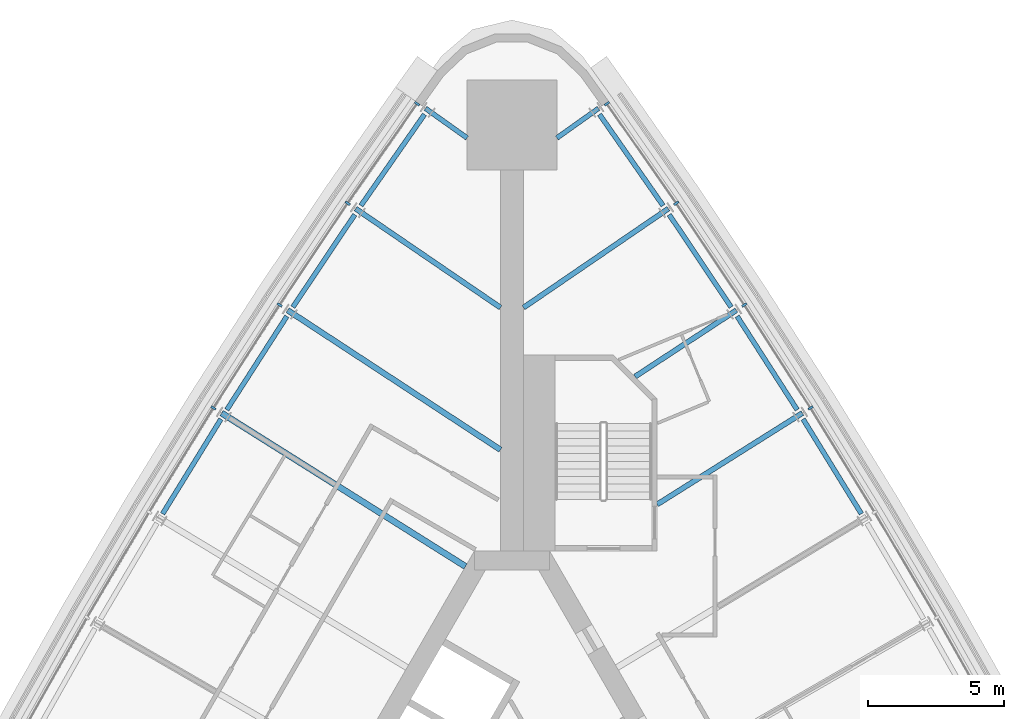
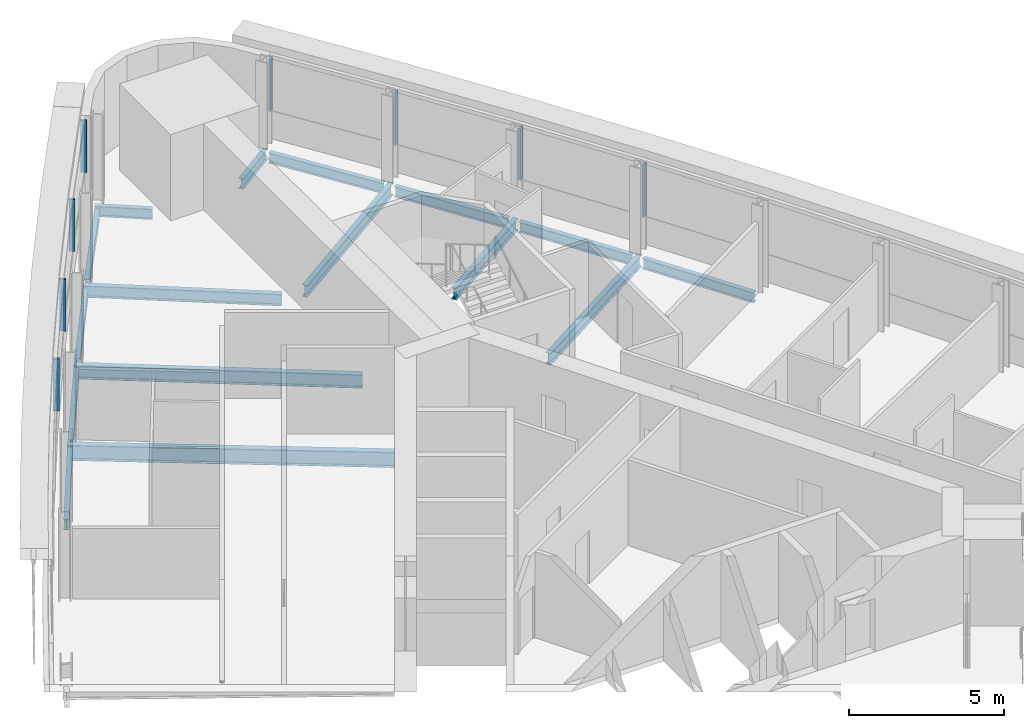
# One storey, part 8 of 15: 16 beams, 8 members, 2 elements without a shape of their own.
"""IFC4 building model written with IfcOpenShell, lengths in metres."""

from ifc_helpers import new_model, si_unit, direction, frame, origin, origin_2d, place, context, subcontext, project, spatial, rectangle, i_section, extrude, material, material_profile, profile_set, type_object, element, aggregate, save


model = new_model("IFC4")

# Units and contexts
model_context = context("Model", 3, precision=1e-05, world=origin(), true_north=direction((0.0, 1.0)))
body_context = subcontext(model_context, "Body", "Model", "MODEL_VIEW")
ifc_project = project(units=[si_unit("LENGTHUNIT", "METRE"), si_unit("AREAUNIT", "SQUARE_METRE"), si_unit("VOLUMEUNIT", "CUBIC_METRE"), si_unit("PLANEANGLEUNIT", "RADIAN"), si_unit("MASSUNIT", "GRAM", prefix="KILO")], contexts=[model_context])

# Site, building, storey
site_placement = place(None, origin())
site = spatial("IfcSite", under=ifc_project, at=site_placement, CompositionType="ELEMENT")
building_placement = place(site_placement, origin())
building = spatial("IfcBuilding", under=site, at=building_placement, Name="Noor Cloister Tower", CompositionType="ELEMENT")
storey_placement = place(building_placement, frame((0.0, 0.0, 45.60009765625)))
storey = spatial("IfcBuildingStorey", under=building, at=storey_placement, Name="L11", CompositionType="ELEMENT", Elevation=45.60009765625)

# Curtain wall, members
ifc_material_1 = material(Name="Aluminium 6063-T6 anodised", Category="aluminium")
curtain_wall_type = type_object("IfcCurtainWallType", Name="Ribbon curtain wall, lower tower CW1", PredefinedType="NOTDEFINED", material=ifc_material_1)
curtain_wall_1_placement = place(storey_placement, origin())
curtain_wall_1 = element("IfcCurtainWall", 1, at=curtain_wall_1_placement, inside=storey, type_object=curtain_wall_type, Name="CW1 L11 NW run 1", PredefinedType="NOTDEFINED")
ifc_material_2 = material(Name="Aluminium 6063-T6 anodised", Category="aluminium")
ifc_material_profile_1 = material_profile(ifc_material_2, rectangle(XDim=0.199951171875, YDim=0.080078125, at=origin_2d()), Name="200 x 80 mullion")
ifc_profile_set_1 = profile_set([ifc_material_profile_1], Name="Aluminium 6063-T6 anodised")
member_type = type_object("IfcMemberType", Name="Mullion CW1 80 x 200", PredefinedType="MULLION", material=ifc_profile_set_1)
member_1_placement = place(storey_placement, frame((-3.48876953125, 27.900390625, 1.099853515625), z_axis=(0.0, 0.0, 1.0), x_axis=(0.820380445931, -0.5718180864, 0.0)))
member_1 = element("IfcMember", 2, at=member_1_placement, type_object=member_type, Name="CW1 mullion 1", PredefinedType="MULLION", context=body_context, shape_type="SweptSolid", body=[
    extrude(rectangle(XDim=0.199951171875, YDim=0.080078125, at=origin_2d()), origin(), (0.0, 0.0, 1.0), 2.050048828125),
])
member_2_placement = place(storey_placement, frame((-6.03857421875, 24.242431640625, 1.099853515625), z_axis=(0.0, 0.0, 1.0), x_axis=(0.825751893691, -0.564033518566, 0.0)))
member_2 = element("IfcMember", 3, at=member_2_placement, type_object=member_type, Name="CW1 mullion 2", PredefinedType="MULLION", context=body_context, shape_type="SweptSolid", body=[
    extrude(rectangle(XDim=0.199951171875, YDim=0.080078125, at=origin_2d()), origin(), (0.0, 0.0, 1.0), 2.050048828125),
])
member_3_placement = place(storey_placement, frame((-8.54052734375, 20.50439453125, 1.099853515625), z_axis=(0.0, 0.0, 1.0), x_axis=(0.836272729558, -0.548313707469, 0.0)))
member_3 = element("IfcMember", 4, at=member_3_placement, type_object=member_type, Name="CW1 mullion 3", PredefinedType="MULLION", context=body_context, shape_type="SweptSolid", body=[
    extrude(rectangle(XDim=0.199951171875, YDim=0.080078125, at=origin_2d()), origin(), (0.0, 0.0, 1.0), 2.050048828125),
])
member_4_placement = place(storey_placement, frame((-10.970947265625, 16.719482421875, 1.099853515625), z_axis=(0.0, 0.0, 1.0), x_axis=(0.846494346666, -0.532397709482, 0.0)))
member_4 = element("IfcMember", 5, at=member_4_placement, type_object=member_type, Name="CW1 mullion 4", PredefinedType="MULLION", context=body_context, shape_type="SweptSolid", body=[
    extrude(rectangle(XDim=0.199951171875, YDim=0.080078125, at=origin_2d()), origin(), (0.0, 0.0, 1.0), 2.050048828125),
])
aggregate(curtain_wall_1, [member_1, member_2, member_3, member_4])

curtain_wall_2_placement = place(storey_placement, origin())
curtain_wall_2 = element("IfcCurtainWall", 6, at=curtain_wall_2_placement, inside=storey, type_object=curtain_wall_type, Name="CW1 L11 NE run 3", PredefinedType="NOTDEFINED")
member_5_placement = place(storey_placement, frame((10.970947265625, 16.719482421875, 1.099853515625), z_axis=(0.0, 0.0, 1.0), x_axis=(-0.846494346666, -0.532397709482, 0.0)))
member_5 = element("IfcMember", 7, at=member_5_placement, type_object=member_type, Name="CW1 mullion 8", PredefinedType="MULLION", context=body_context, shape_type="SweptSolid", body=[
    extrude(rectangle(XDim=0.199951171875, YDim=0.080078125, at=origin_2d()), origin(), (0.0, 0.0, 1.0), 2.050048828125),
])
member_6_placement = place(storey_placement, frame((8.54052734375, 20.50439453125, 1.099853515625), z_axis=(0.0, 0.0, 1.0), x_axis=(-0.836272729558, -0.548313707469, 0.0)))
member_6 = element("IfcMember", 8, at=member_6_placement, type_object=member_type, Name="CW1 mullion 9", PredefinedType="MULLION", context=body_context, shape_type="SweptSolid", body=[
    extrude(rectangle(XDim=0.199951171875, YDim=0.080078125, at=origin_2d()), origin(), (0.0, 0.0, 1.0), 2.050048828125),
])
member_7_placement = place(storey_placement, frame((6.03857421875, 24.242431640625, 1.099853515625), z_axis=(0.0, 0.0, 1.0), x_axis=(-0.825751893691, -0.564033518566, 0.0)))
member_7 = element("IfcMember", 9, at=member_7_placement, type_object=member_type, Name="CW1 mullion 10", PredefinedType="MULLION", context=body_context, shape_type="SweptSolid", body=[
    extrude(rectangle(XDim=0.199951171875, YDim=0.080078125, at=origin_2d()), origin(), (0.0, 0.0, 1.0), 2.050048828125),
])
member_8_placement = place(storey_placement, frame((3.48876953125, 27.900390625, 1.099853515625), z_axis=(0.0, 0.0, 1.0), x_axis=(-0.820380445931, -0.5718180864, 0.0)))
member_8 = element("IfcMember", 10, at=member_8_placement, type_object=member_type, Name="CW1 mullion 11", PredefinedType="MULLION", context=body_context, shape_type="SweptSolid", body=[
    extrude(rectangle(XDim=0.199951171875, YDim=0.080078125, at=origin_2d()), origin(), (0.0, 0.0, 1.0), 2.050048828125),
])
aggregate(curtain_wall_2, [member_5, member_6, member_7, member_8])

# Beams
ifc_material_3 = material(Name="Steel ASTM A992 Gr 50", Category="steel")
ifc_material_profile_2 = material_profile(ifc_material_3, i_section(OverallWidth=0.177978515625, OverallDepth=0.406005859375, WebThickness=0.0078125, FlangeThickness=0.0126953125, FilletRadius=0.01025390625, at=origin_2d()), Name="W410x60")
ifc_profile_set_2 = profile_set([ifc_material_profile_2], Name="Steel ASTM A992 Gr 50")
beam_type_1 = type_object("IfcBeamType", Name="Radial beam W410x60", PredefinedType="BEAM", material=ifc_profile_set_2)
for number, where, z_axis, x_axis, name in (
    (11, (-3.178955078125, 27.72802734375, -0.403076171875), (0.814936205274, -0.579550671929, 0.0), (0.579550671929, 0.814936205274, 0.0), "Radial beam NW 01 L11"),
    (12, (3.178955078125, 27.72802734375, -0.403076171875), (-0.814936205274, -0.579550671929, 0.0), (0.579550671929, -0.814936205274, 0.0), "Radial beam NE 11 L11"),
):
    element("IfcBeam", number, at=place(storey_placement, frame(where, z_axis=z_axis, x_axis=x_axis)), inside=storey, type_object=beam_type_1, Name=name, PredefinedType="BEAM", context=body_context, shape_type="SweptSolid", body=[
        extrude(i_section(OverallWidth=0.177978515625, OverallDepth=0.406005859375, WebThickness=0.0078125, FlangeThickness=0.0126953125, FilletRadius=0.01025390625, at=origin_2d()), origin(), (0.0, 0.0, 1.0), 1.876220703125),
    ])
ifc_material_4 = material(Name="Steel ASTM A992 Gr 50", Category="steel")
ifc_material_profile_3 = material_profile(ifc_material_4, i_section(OverallWidth=0.19091796875, OverallDepth=0.45703125, WebThickness=0.009033203125, FlangeThickness=0.014404296875, FilletRadius=0.01025390625, at=origin_2d()), Name="W460x74")
ifc_profile_set_3 = profile_set([ifc_material_profile_3], Name="Steel ASTM A992 Gr 50")
beam_type_2 = type_object("IfcBeamType", Name="Radial beam W460x74", PredefinedType="BEAM", material=ifc_profile_set_3)
beam_1_placement = place(storey_placement, frame((-5.7470703125, 24.04345703125, -0.4287109375), z_axis=(0.825732562414, -0.564061818749, 0.0), x_axis=(0.564061818749, 0.825732562414, 0.0)))
element("IfcBeam", 13, at=beam_1_placement, inside=storey, type_object=beam_type_2, Name="Radial beam NW 02 L11", PredefinedType="BEAM", context=body_context, shape_type="SweptSolid", body=[
    extrude(i_section(OverallWidth=0.19091796875, OverallDepth=0.45703125, WebThickness=0.009033203125, FlangeThickness=0.014404296875, FilletRadius=0.01025390625, at=origin_2d()), origin(), (0.0, 0.0, 1.0), 6.4453125),
])
beam_2_placement = place(storey_placement, frame((10.67236328125, 16.53173828125, -0.4287109375), z_axis=(-0.84649593942, -0.53239517705, 0.0), x_axis=(0.53239517705, -0.84649593942, 0.0)))
element("IfcBeam", 14, at=beam_2_placement, inside=storey, type_object=beam_type_2, Name="Radial beam NE 08 L11", PredefinedType="BEAM", context=body_context, shape_type="SweptSolid", body=[
    extrude(i_section(OverallWidth=0.19091796875, OverallDepth=0.45703125, WebThickness=0.009033203125, FlangeThickness=0.014404296875, FilletRadius=0.01025390625, at=origin_2d()), origin(), (0.0, 0.0, 1.0), 6.304443359375),
])
beam_3_placement = place(storey_placement, frame((8.2451171875, 20.310791015625, -0.4287109375), z_axis=(-0.836278171501, -0.54830540748, 0.0), x_axis=(0.54830540748, -0.836278171501, 0.0)))
element("IfcBeam", 15, at=beam_3_placement, inside=storey, type_object=beam_type_2, Name="Radial beam NE 09 L11", PredefinedType="BEAM", context=body_context, shape_type="SweptSolid", body=[
    extrude(i_section(OverallWidth=0.19091796875, OverallDepth=0.45703125, WebThickness=0.009033203125, FlangeThickness=0.014404296875, FilletRadius=0.01025390625, at=origin_2d()), origin(), (0.0, 0.0, 1.0), 4.45166015625),
])
beam_4_placement = place(storey_placement, frame((5.7470703125, 24.04345703125, -0.4287109375), z_axis=(-0.825732562414, -0.564061818749, 0.0), x_axis=(0.564061818749, -0.825732562414, 0.0)))
element("IfcBeam", 16, at=beam_4_placement, inside=storey, type_object=beam_type_2, Name="Radial beam NE 10 L11", PredefinedType="BEAM", context=body_context, shape_type="SweptSolid", body=[
    extrude(i_section(OverallWidth=0.19091796875, OverallDepth=0.45703125, WebThickness=0.009033203125, FlangeThickness=0.014404296875, FilletRadius=0.01025390625, at=origin_2d()), origin(), (0.0, 0.0, 1.0), 6.4453125),
])
ifc_material_5 = material(Name="Steel ASTM A992 Gr 50", Category="steel")
ifc_material_profile_4 = material_profile(ifc_material_5, i_section(OverallWidth=0.208984375, OverallDepth=0.532958984375, WebThickness=0.01025390625, FlangeThickness=0.015625, FilletRadius=0.0126953125, at=origin_2d()), Name="W530x92")
ifc_profile_set_4 = profile_set([ifc_material_profile_4], Name="Steel ASTM A992 Gr 50")
beam_type_3 = type_object("IfcBeamType", Name="Radial beam W530x92", PredefinedType="BEAM", material=ifc_profile_set_4)
beam_5_placement = place(storey_placement, frame((-8.2451171875, 20.310791015625, -0.466552734375), z_axis=(0.836267525836, -0.548321643958, 0.0), x_axis=(0.548321643958, 0.836267525836, 0.0)))
element("IfcBeam", 17, at=beam_5_placement, inside=storey, type_object=beam_type_3, Name="Radial beam NW 03 L11", PredefinedType="BEAM", context=body_context, shape_type="SweptSolid", body=[
    extrude(i_section(OverallWidth=0.208984375, OverallDepth=0.532958984375, WebThickness=0.01025390625, FlangeThickness=0.015625, FilletRadius=0.0126953125, at=origin_2d()), origin(), (0.0, 0.0, 1.0), 9.35107421875),
])
ifc_material_6 = material(Name="Steel ASTM A992 Gr 50", Category="steel")
ifc_material_profile_5 = material_profile(ifc_material_6, i_section(OverallWidth=0.22802734375, OverallDepth=0.60205078125, WebThickness=0.010498046875, FlangeThickness=0.014892578125, FilletRadius=0.0126953125, at=origin_2d()), Name="W610x101")
ifc_profile_set_5 = profile_set([ifc_material_profile_5], Name="Steel ASTM A992 Gr 50")
beam_type_4 = type_object("IfcBeamType", Name="Radial beam W610x101", PredefinedType="BEAM", material=ifc_profile_set_5)
beam_6_placement = place(storey_placement, frame((-10.67236328125, 16.53173828125, -0.5009765625), z_axis=(0.846489582687, -0.532405283973, 0.0), x_axis=(0.532405283973, 0.846489582687, 0.0)))
element("IfcBeam", 18, at=beam_6_placement, inside=storey, type_object=beam_type_4, Name="Radial beam NW 04 L11", PredefinedType="BEAM", context=body_context, shape_type="SweptSolid", body=[
    extrude(i_section(OverallWidth=0.22802734375, OverallDepth=0.60205078125, WebThickness=0.010498046875, FlangeThickness=0.014892578125, FilletRadius=0.0126953125, at=origin_2d()), origin(), (0.0, 0.0, 1.0), 10.587646484375),
])
ifc_material_7 = material(Name="Steel ASTM A992 Gr 50", Category="steel")
ifc_material_profile_6 = material_profile(ifc_material_7, i_section(OverallWidth=0.177978515625, OverallDepth=0.406005859375, WebThickness=0.0078125, FlangeThickness=0.0126953125, FilletRadius=0.01025390625, at=origin_2d()), Name="W410x60")
ifc_profile_set_6 = profile_set([ifc_material_profile_6], Name="Steel ASTM A992 Gr 50")
beam_type_5 = type_object("IfcBeamType", Name="Spandrel beam W410x60", PredefinedType="SPANDREL", material=ifc_profile_set_6)
for number, where, z_axis, x_axis, name in (
    (19, (-3.21533203125, 27.506103515625, -0.403076171875), (-0.571804849183, -0.820389672321, 0.0), (0.820389672321, -0.571804849183, 0.0), "Spandrel beam NW 01 L11"),
    (20, (-5.779296875, 23.82080078125, -0.403076171875), (-0.556216177473, -0.8310376429, 0.0), (0.8310376429, -0.556216177473, 0.0), "Spandrel beam NW 02 L11"),
    (21, (-8.273193359375, 20.087646484375, -0.403076171875), (-0.540373974592, -0.841424962539, 0.0), (0.841424962539, -0.540373974592, 0.0), "Spandrel beam NW 03 L11"),
):
    element("IfcBeam", number, at=place(storey_placement, frame(where, z_axis=z_axis, x_axis=x_axis)), inside=storey, type_object=beam_type_5, Name=name, PredefinedType="SPANDREL", context=body_context, shape_type="SweptSolid", body=[
        extrude(i_section(OverallWidth=0.177978515625, OverallDepth=0.406005859375, WebThickness=0.0078125, FlangeThickness=0.0126953125, FilletRadius=0.01025390625, at=origin_2d()), origin(), (0.0, 0.0, 1.0), 4.085693359375),
    ])
for number, where, z_axis, x_axis, name in (
    (22, (-10.696044921875, 16.30810546875, -0.403076171875), (-0.524374130172, -0.851487975022, 0.0), (0.851487975022, -0.524374130172, 0.0), "Spandrel beam NW 04 L11"),
    (23, (12.83837890625, 12.829345703125, -0.403076171875), (-0.524374130172, 0.851487975022, 0.0), (-0.851487975022, -0.524374130172, 0.0), "Spandrel beam NE 07 L11"),
):
    element("IfcBeam", number, at=place(storey_placement, frame(where, z_axis=z_axis, x_axis=x_axis)), inside=storey, type_object=beam_type_5, Name=name, PredefinedType="SPANDREL", context=body_context, shape_type="SweptSolid", body=[
        extrude(i_section(OverallWidth=0.177978515625, OverallDepth=0.406005859375, WebThickness=0.0078125, FlangeThickness=0.0126953125, FilletRadius=0.01025390625, at=origin_2d()), origin(), (0.0, 0.0, 1.0), 4.08544921875),
    ])
for number, where, z_axis, x_axis, name in (
    (24, (10.48095703125, 16.64990234375, -0.403076171875), (-0.540373974592, 0.841424962539, 0.0), (-0.841424962539, -0.540373974592, 0.0), "Spandrel beam NE 08 L11"),
    (25, (8.0517578125, 20.425537109375, -0.403076171875), (-0.556216177473, 0.8310376429, 0.0), (-0.8310376429, -0.556216177473, 0.0), "Spandrel beam NE 09 L11"),
    (26, (5.551513671875, 24.154296875, -0.403076171875), (-0.571804849183, 0.820389672321, 0.0), (-0.820389672321, -0.571804849183, 0.0), "Spandrel beam NE 10 L11"),
):
    element("IfcBeam", number, at=place(storey_placement, frame(where, z_axis=z_axis, x_axis=x_axis)), inside=storey, type_object=beam_type_5, Name=name, PredefinedType="SPANDREL", context=body_context, shape_type="SweptSolid", body=[
        extrude(i_section(OverallWidth=0.177978515625, OverallDepth=0.406005859375, WebThickness=0.0078125, FlangeThickness=0.0126953125, FilletRadius=0.01025390625, at=origin_2d()), origin(), (0.0, 0.0, 1.0), 4.085693359375),
    ])

save(model, "model.ifc")
